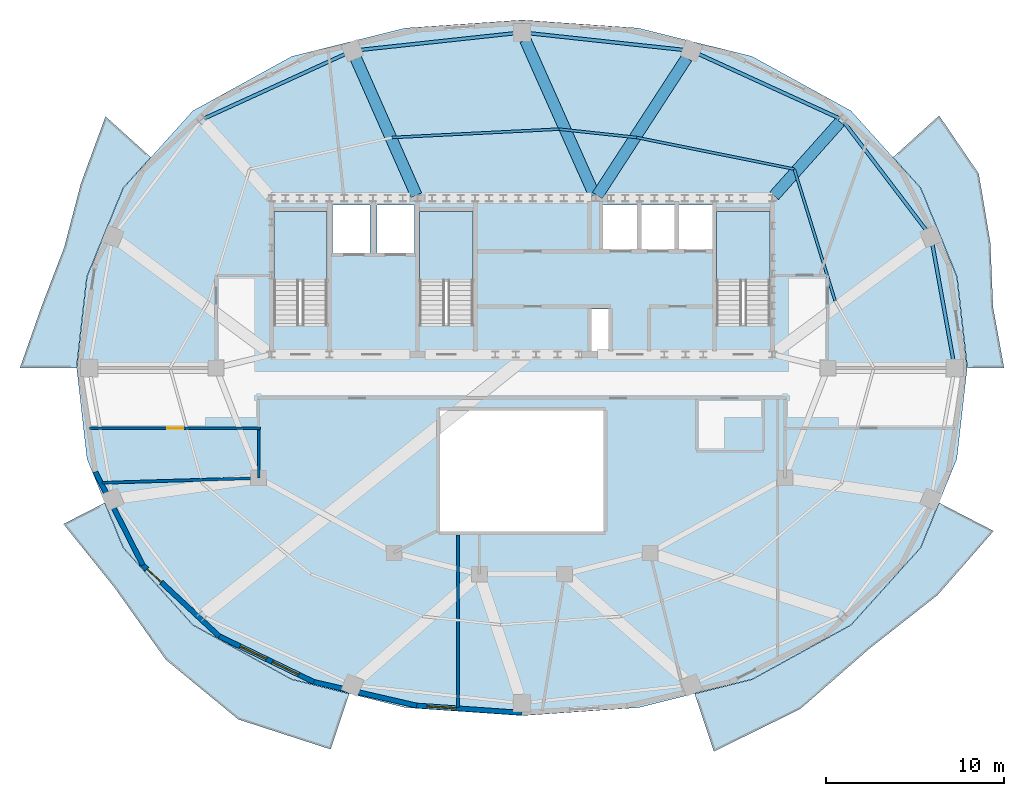
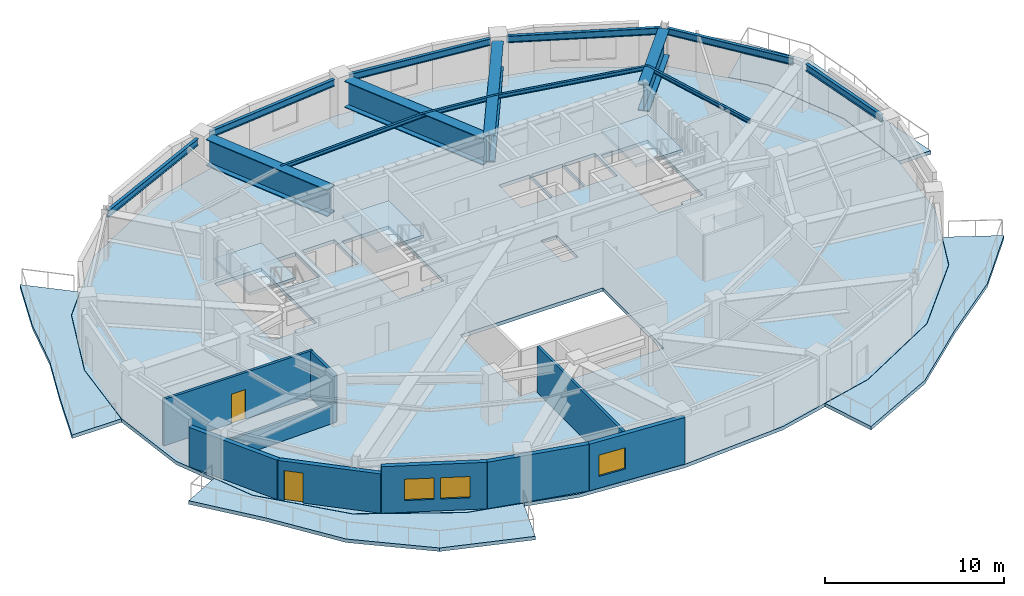
# One storey, part 3 of 10: 14 beams, 9 walls, 8 slabs, 3 windows, 2 doors, 5 openings, 3 elements without a shape of their own.
"""IFC4 building model written with IfcOpenShell, lengths in metres."""

from ifc_helpers import new_model, si_unit, direction, frame, frame_2d, origin, origin_2d, place, context, subcontext, project, spatial, polyline, rectangle, i_section, outline, extrude, material, layer, layer_set, material_profile, profile_set, type_object, element, fill, aggregate, save


model = new_model("IFC4")

# Units and contexts
model_context = context("Model", 3, precision=1e-05, world=origin(), true_north=direction((0.0, 1.0)))
body_context = subcontext(model_context, "Body", "Model", "MODEL_VIEW")
ifc_project = project(units=[si_unit("LENGTHUNIT", "METRE"), si_unit("AREAUNIT", "SQUARE_METRE"), si_unit("VOLUMEUNIT", "CUBIC_METRE"), si_unit("PLANEANGLEUNIT", "RADIAN"), si_unit("MASSUNIT", "GRAM", prefix="KILO")], contexts=[model_context])

# Site, building, storey
site_placement = place(None, origin())
site = spatial("IfcSite", under=ifc_project, at=site_placement, CompositionType="ELEMENT")
building_placement = place(site_placement, origin())
building = spatial("IfcBuilding", under=site, at=building_placement, Name="Haldorwick Loom Tower", CompositionType="ELEMENT")
storey_placement = place(building_placement, frame((0.0, 0.0, 269.550048828125)))
storey = spatial("IfcBuildingStorey", under=building, at=storey_placement, Name="L73", CompositionType="ELEMENT", Elevation=269.550048828125)

# Beams
ifc_material_1 = material(Name="Steel CSA G40.21 350W", Category="steel")
ifc_material_profile_1 = material_profile(ifc_material_1, i_section(OverallWidth=0.14599609375, OverallDepth=0.258056640625, WebThickness=0.006103515625, FlangeThickness=0.009033203125, at=origin_2d()), Name="W250X33", Category="steel")
ifc_profile_set_1 = profile_set([ifc_material_profile_1], Name="Steel CSA G40.21 350W")
beam_type_1 = type_object("IfcBeamType", Name="STR-BM-J250", PredefinedType="JOIST", material=ifc_profile_set_1)
beam_1_placement = place(storey_placement, frame((53.61328125, 29.76171875, 3.041015625), z_axis=(-0.296087580312, 0.955160795251, 0.0), x_axis=(-0.955160795251, -0.296087580312, 0.0)))
element("IfcBeam", 1, at=beam_1_placement, inside=storey, type_object=beam_type_1, Name="L73 Mid-Bay Secondary Joist 2", PredefinedType="JOIST", context=body_context, shape_type="SweptSolid", body=[
    extrude(i_section(OverallWidth=0.14599609375, OverallDepth=0.258056640625, WebThickness=0.006103515625, FlangeThickness=0.009033203125, at=origin_2d()), origin(), (0.0, 0.0, 1.0), 7.762451171875),
])
beam_2_placement = place(storey_placement, frame((51.31494140625, 37.176025390625, 3.041015625), z_axis=(-0.980500562343, 0.196516277302, 0.0), x_axis=(-0.196516277302, -0.980500562343, 0.0)))
element("IfcBeam", 2, at=beam_2_placement, inside=storey, type_object=beam_type_1, Name="L73 Mid-Bay Secondary Joist 3", PredefinedType="JOIST", context=body_context, shape_type="SweptSolid", body=[
    extrude(i_section(OverallWidth=0.14599609375, OverallDepth=0.258056640625, WebThickness=0.006103515625, FlangeThickness=0.009033203125, at=origin_2d()), origin(), (0.0, 0.0, 1.0), 9.034423828125),
])
beam_3_placement = place(storey_placement, frame((42.456787109375, 38.951416015625, 3.041015625), z_axis=(-0.994268003688, 0.106916494714, 0.0), x_axis=(-0.106916494714, -0.994268003688, 0.0)))
element("IfcBeam", 3, at=beam_3_placement, inside=storey, type_object=beam_type_1, Name="L73 Mid-Bay Secondary Joist 4", PredefinedType="JOIST", context=body_context, shape_type="SweptSolid", body=[
    extrude(i_section(OverallWidth=0.14599609375, OverallDepth=0.258056640625, WebThickness=0.006103515625, FlangeThickness=0.009033203125, at=origin_2d()), origin(), (0.0, 0.0, 1.0), 4.406982421875),
])
beam_4_placement = place(storey_placement, frame((38.074951171875, 39.422607421875, 3.041015625), z_axis=(-0.998743777835, -0.050108544536, 0.0), x_axis=(0.050108544536, -0.998743777835, 0.0)))
element("IfcBeam", 4, at=beam_4_placement, inside=storey, type_object=beam_type_1, Name="L73 Mid-Bay Secondary Joist 5", PredefinedType="JOIST", context=body_context, shape_type="SweptSolid", body=[
    extrude(i_section(OverallWidth=0.14599609375, OverallDepth=0.258056640625, WebThickness=0.006103515625, FlangeThickness=0.009033203125, at=origin_2d()), origin(), (0.0, 0.0, 1.0), 9.4033203125),
])
ifc_material_profile_2 = material_profile(ifc_material_1, i_section(OverallWidth=0.193115234375, OverallDepth=0.466064453125, WebThickness=0.011474609375, FlangeThickness=0.01904296875, at=origin_2d()), Name="W460X97", Category="steel")
ifc_profile_set_2 = profile_set([ifc_material_profile_2], Name="Steel CSA G40.21 350W")
beam_type_2 = type_object("IfcBeamType", Name="STR-BM-SP460", PredefinedType="SPANDREL", material=ifc_profile_set_2)
beam_5_placement = place(storey_placement, frame((60.25244140625, 26.467529296875, 2.93701171875), z_axis=(-0.177515201984, 0.984118058499, 0.0), x_axis=(-0.984118058499, -0.177515201984, 0.0)))
element("IfcBeam", 5, at=beam_5_placement, inside=storey, type_object=beam_type_2, Name="L73 Perimeter Spandrel 1", PredefinedType="SPANDREL", context=body_context, shape_type="SweptSolid", body=[
    extrude(i_section(OverallWidth=0.193115234375, OverallDepth=0.466064453125, WebThickness=0.011474609375, FlangeThickness=0.01904296875, at=origin_2d()), origin(), (0.0, 0.0, 1.0), 6.5546875),
])
beam_6_placement = place(storey_placement, frame((58.717041015625, 33.763916015625, 2.93701171875), z_axis=(-0.605410439126, 0.795913437629, 0.0), x_axis=(-0.795913437629, -0.605410439126, 0.0)))
element("IfcBeam", 6, at=beam_6_placement, inside=storey, type_object=beam_type_2, Name="L73 Perimeter Spandrel 2", PredefinedType="SPANDREL", context=body_context, shape_type="SweptSolid", body=[
    extrude(i_section(OverallWidth=0.193115234375, OverallDepth=0.466064453125, WebThickness=0.011474609375, FlangeThickness=0.01904296875, at=origin_2d()), origin(), (0.0, 0.0, 1.0), 7.604736328125),
])
beam_7_placement = place(storey_placement, frame((53.84326171875, 40.0322265625, 2.93701171875), z_axis=(-0.909567887863, 0.415555360172, 0.0), x_axis=(-0.415555360172, -0.909567887863, 0.0)))
element("IfcBeam", 7, at=beam_7_placement, inside=storey, type_object=beam_type_2, Name="L73 Perimeter Spandrel 3", PredefinedType="SPANDREL", context=body_context, shape_type="SweptSolid", body=[
    extrude(i_section(OverallWidth=0.193115234375, OverallDepth=0.466064453125, WebThickness=0.011474609375, FlangeThickness=0.01904296875, at=origin_2d()), origin(), (0.0, 0.0, 1.0), 8.666259765625),
])
for number, where, z_axis, x_axis, name in (
    (8, (45.056396484375, 43.8818359375, 2.93701171875), (-0.994216353781, 0.107395725588, 0.0), (-0.107395725588, -0.994216353781, 0.0), "L73 Perimeter Spandrel 4"),
    (9, (35.527587890625, 44.80908203125, 2.93701171875), (-0.994216353781, -0.107395725588, 0.0), (0.107395725588, -0.994216353781, 0.0), "L73 Perimeter Spandrel 5"),
):
    element("IfcBeam", number, at=place(storey_placement, frame(where, z_axis=z_axis, x_axis=x_axis)), inside=storey, type_object=beam_type_2, Name=name, PredefinedType="SPANDREL", context=body_context, shape_type="SweptSolid", body=[
        extrude(i_section(OverallWidth=0.193115234375, OverallDepth=0.466064453125, WebThickness=0.011474609375, FlangeThickness=0.01904296875, at=origin_2d()), origin(), (0.0, 0.0, 1.0), 8.634033203125),
    ])
beam_8_placement = place(storey_placement, frame((26.039306640625, 43.633544921875, 2.93701171875), z_axis=(-0.909567887863, -0.415555360172, 0.0), x_axis=(0.415555360172, -0.909567887863, 0.0)))
element("IfcBeam", 10, at=beam_8_placement, inside=storey, type_object=beam_type_2, Name="L73 Perimeter Spandrel 6", PredefinedType="SPANDREL", context=body_context, shape_type="SweptSolid", body=[
    extrude(i_section(OverallWidth=0.193115234375, OverallDepth=0.466064453125, WebThickness=0.011474609375, FlangeThickness=0.01904296875, at=origin_2d()), origin(), (0.0, 0.0, 1.0), 8.666259765625),
])
ifc_material_2 = material(Name="Steel CSA G40.21 350WT", Category="steel")
ifc_material_profile_3 = material_profile(ifc_material_2, i_section(OverallWidth=0.64990234375, OverallDepth=1.800048828125, WebThickness=0.02587890625, FlangeThickness=0.048095703125, at=origin_2d()), Name="WWF1800X650", Category="steel")
ifc_profile_set_3 = profile_set([ifc_material_profile_3], Name="Steel CSA G40.21 350WT")
beam_type_3 = type_object("IfcBeamType", Name="STR-BM-TG1800", PredefinedType="BEAM", material=ifc_profile_set_3)
beam_9_placement = place(storey_placement, frame((50.18408203125, 35.677978515625, 2.27001953125), z_axis=(0.665970391236, 0.745978175282, 0.0), x_axis=(-0.745978175282, 0.665970391236, 0.0)))
element("IfcBeam", 11, at=beam_9_placement, inside=storey, type_object=beam_type_3, Name="L73 Setback Inner Transfer Girder 3", PredefinedType="BEAM", context=body_context, shape_type="SweptSolid", body=[
    extrude(i_section(OverallWidth=0.64990234375, OverallDepth=1.800048828125, WebThickness=0.02587890625, FlangeThickness=0.048095703125, at=origin_2d()), origin(), (0.0, 0.0, 1.0), 5.559814453125),
])
beam_10_placement = place(storey_placement, frame((40.243408203125, 35.69384765625, 2.27001953125), z_axis=(0.544714921264, 0.838621281958, 0.0), x_axis=(-0.838621281958, 0.544714921264, 0.0)))
element("IfcBeam", 12, at=beam_10_placement, inside=storey, type_object=beam_type_3, Name="L73 Setback Inner Transfer Girder 4", PredefinedType="BEAM", context=body_context, shape_type="SweptSolid", body=[
    extrude(i_section(OverallWidth=0.64990234375, OverallDepth=1.800048828125, WebThickness=0.02587890625, FlangeThickness=0.048095703125, at=origin_2d()), origin(), (0.0, 0.0, 1.0), 9.22802734375),
])
beam_11_placement = place(storey_placement, frame((40.080078125, 35.70654296875, 2.27001953125), z_axis=(-0.407125301808, 0.913372316543, 0.0), x_axis=(-0.913372316543, -0.407125301808, 0.0)))
element("IfcBeam", 13, at=beam_11_placement, inside=storey, type_object=beam_type_3, Name="L73 Setback Inner Transfer Girder 5", PredefinedType="BEAM", context=body_context, shape_type="SweptSolid", body=[
    extrude(i_section(OverallWidth=0.64990234375, OverallDepth=1.800048828125, WebThickness=0.02587890625, FlangeThickness=0.048095703125, at=origin_2d()), origin(), (0.0, 0.0, 1.0), 9.546630859375),
])
beam_12_placement = place(storey_placement, frame((30.060791015625, 35.706787109375, 2.27001953125), z_axis=(-0.404157067806, 0.914689600106, 0.0), x_axis=(-0.914689600106, -0.404157067806, 0.0)))
element("IfcBeam", 14, at=beam_12_placement, inside=storey, type_object=beam_type_3, Name="L73 Setback Inner Transfer Girder 6", PredefinedType="BEAM", context=body_context, shape_type="SweptSolid", body=[
    extrude(i_section(OverallWidth=0.64990234375, OverallDepth=1.800048828125, WebThickness=0.02587890625, FlangeThickness=0.048095703125, at=origin_2d()), origin(), (0.0, 0.0, 1.0), 8.406982421875),
])

# Slabs
ifc_material_3 = material(Name="Concrete C40 (40 MPa)", Category="concrete")
ifc_layer_1 = layer(ifc_material_3, 0.239990234375, Name="Concrete C40 (40 MPa)", Category="concrete")
ifc_layer_set_1 = layer_set([ifc_layer_1], Name="Concrete C40 (40 MPa)")
slab_type_1 = type_object("IfcSlabType", Name="STR-SLB-BAL240", PredefinedType="FLOOR", material=ifc_layer_set_1)
slab_1_placement = place(storey_placement, frame((0.0, 0.0, -0.239990234375)))
element("IfcSlab", 15, at=slab_1_placement, inside=storey, type_object=slab_type_1, Name="L73 Sinusoidal Balcony Terrace BAL_SE", PredefinedType="FLOOR", context=body_context, shape_type="SweptSolid", body=[
    extrude(outline(polyline([(59.45947265625, 18.40576171875), (58.427978515625, 15.88427734375), (58.427490234375, 15.883056640625), (58.4267578125, 15.882080078125), (58.426025390625, 15.881103515625), (58.42529296875, 15.8798828125), (54.51123046875, 11.53662109375), (54.51025390625, 11.535400390625), (54.5087890625, 11.534423828125), (54.50732421875, 11.53369140625), (48.947998046875, 8.475830078125), (48.947021484375, 8.475341796875), (48.94580078125, 8.474853515625), (48.9443359375, 8.474365234375), (45.716796875, 7.66845703125), (46.79736328125, 4.430419921875), (51.6435546875, 6.8134765625), (55.541748046875, 10.213623046875), (59.365478515625, 13.219970703125), (62.522705078125, 16.823974609375), (59.45947265625, 18.40576171875)])), origin(), (0.0, 0.0, 1.0), 0.239990234375),
])
slab_2_placement = place(storey_placement, frame((0.0, 0.0, -0.239990234375)))
element("IfcSlab", 16, at=slab_2_placement, inside=storey, type_object=slab_type_1, Name="L73 Sinusoidal Balcony Terrace BAL_SW", PredefinedType="FLOOR", context=body_context, shape_type="SweptSolid", body=[
    extrude(outline(polyline([(26.283203125, 7.66845703125), (23.0556640625, 8.474365234375), (23.05419921875, 8.474853515625), (23.052978515625, 8.475341796875), (23.052001953125, 8.475830078125), (17.49267578125, 11.53369140625), (17.4912109375, 11.534423828125), (17.48974609375, 11.535400390625), (17.48876953125, 11.53662109375), (13.57470703125, 15.8798828125), (13.573974609375, 15.881103515625), (13.5732421875, 15.882080078125), (13.572509765625, 15.883056640625), (13.572021484375, 15.88427734375), (12.540283203125, 18.406494140625), (10.220947265625, 17.21826171875), (13.10595703125, 13.623291015625), (15.97216796875, 9.59130859375), (20.05224609375, 6.230712890625), (25.24072265625, 4.5478515625), (26.283203125, 7.66845703125)])), origin(), (0.0, 0.0, 1.0), 0.239990234375),
])
slab_3_placement = place(storey_placement, frame((0.0, 0.0, -0.239990234375)))
element("IfcSlab", 17, at=slab_3_placement, inside=storey, type_object=slab_type_1, Name="L73 Sinusoidal Balcony Terrace BAL_WNW", PredefinedType="FLOOR", context=body_context, shape_type="SweptSolid", body=[
    extrude(outline(polyline([(10.9482421875, 26.0), (10.9482421875, 26.001708984375), (11.529296875, 31.12109375), (11.529541015625, 31.12255859375), (11.530029296875, 31.123779296875), (11.530517578125, 31.125), (13.572021484375, 36.11572265625), (13.572509765625, 36.116943359375), (13.5732421875, 36.117919921875), (13.573974609375, 36.118896484375), (13.57470703125, 36.1201171875), (15.125, 37.84033203125), (12.585693359375, 40.13623046875), (11.193603515625, 36.342529296875), (10.267333984375, 32.783447265625), (9.01025390625, 29.510009765625), (7.77490234375, 26.0), (10.9482421875, 26.0)])), origin(), (0.0, 0.0, 1.0), 0.239990234375),
])
slab_4_placement = place(storey_placement, frame((0.0, 0.0, -0.239990234375)))
element("IfcSlab", 18, at=slab_4_placement, inside=storey, type_object=slab_type_1, Name="L73 Sinusoidal Balcony Terrace BAL_ENE", PredefinedType="FLOOR", context=body_context, shape_type="SweptSolid", body=[
    extrude(outline(polyline([(56.875, 37.84033203125), (58.42529296875, 36.1201171875), (58.426025390625, 36.118896484375), (58.4267578125, 36.117919921875), (58.427490234375, 36.116943359375), (58.427978515625, 36.11572265625), (60.469482421875, 31.125), (60.469970703125, 31.123779296875), (60.470458984375, 31.12255859375), (60.470703125, 31.12109375), (61.0517578125, 26.001708984375), (61.0517578125, 26.0), (63.1083984375, 26.0), (62.492919921875, 29.4091796875), (62.3388671875, 33.035400390625), (61.68701171875, 36.9169921875), (59.45947265625, 40.17822265625), (56.875, 37.84033203125)])), origin(), (0.0, 0.0, 1.0), 0.239990234375),
])

# Stair, slab
stair_type = type_object("IfcStairType", Name="STR-STR-CORE", PredefinedType="HALF_TURN_STAIR", material=ifc_material_3)
stair_1_placement = place(storey_placement, origin())
stair_1 = element("IfcStair", 19, at=stair_1_placement, inside=storey, type_object=stair_type, Name="L73 Exit Stair ST-01", PredefinedType="HALF_TURN_STAIR")
ifc_layer_2 = layer(ifc_material_3, 0.199951171875, Name="Concrete C40 (40 MPa)", Category="concrete")
ifc_layer_set_2 = layer_set([ifc_layer_2], Name="Concrete C40 (40 MPa)")
slab_type_2 = type_object("IfcSlabType", Name="STR-SLB-LAND200", PredefinedType="LANDING", material=ifc_layer_set_2)
slab_5_placement = place(storey_placement, frame((0.0, 0.0, 1.52490234375)))
slab_5 = element("IfcSlab", 20, at=slab_5_placement, type_object=slab_type_2, Name="ST-01 landing 1", PredefinedType="LANDING", context=body_context, shape_type="SweptSolid", body=[
    extrude(outline(polyline([(25.050048828125, 30.919921875), (25.050048828125, 34.800048828125), (22.050048828125, 34.800048828125), (22.050048828125, 30.919921875), (25.050048828125, 30.919921875)])), origin(), (0.0, 0.0, 1.0), 0.199951171875),
])
aggregate(stair_1, [slab_5])

stair_2_placement = place(storey_placement, origin())
stair_2 = element("IfcStair", 21, at=stair_2_placement, inside=storey, type_object=stair_type, Name="L73 Exit Stair ST-02", PredefinedType="HALF_TURN_STAIR")
slab_6_placement = place(storey_placement, frame((0.0, 0.0, 1.52490234375)))
slab_6 = element("IfcSlab", 22, at=slab_6_placement, type_object=slab_type_2, Name="ST-02 landing 1", PredefinedType="LANDING", context=body_context, shape_type="SweptSolid", body=[
    extrude(outline(polyline([(49.949951171875, 30.919921875), (49.949951171875, 34.800048828125), (46.949951171875, 34.800048828125), (46.949951171875, 30.919921875), (49.949951171875, 30.919921875)])), origin(), (0.0, 0.0, 1.0), 0.199951171875),
])
aggregate(stair_2, [slab_6])

stair_3_placement = place(storey_placement, origin())
stair_3 = element("IfcStair", 23, at=stair_3_placement, inside=storey, type_object=stair_type, Name="L73 Exit Stair ST-03", PredefinedType="HALF_TURN_STAIR")
slab_7_placement = place(storey_placement, frame((0.0, 0.0, 1.52490234375)))
slab_7 = element("IfcSlab", 24, at=slab_7_placement, type_object=slab_type_2, Name="ST-03 landing 1", PredefinedType="LANDING", context=body_context, shape_type="SweptSolid", body=[
    extrude(outline(polyline([(33.25, 30.919921875), (33.25, 34.800048828125), (30.25, 34.800048828125), (30.25, 30.919921875), (33.25, 30.919921875)])), origin(), (0.0, 0.0, 1.0), 0.199951171875),
])
aggregate(stair_3, [slab_7])

# Slab
ifc_layer_3 = layer(ifc_material_3, 0.239990234375, Name="Concrete C40 (40 MPa)", Category="concrete")
ifc_layer_set_3 = layer_set([ifc_layer_3], Name="Concrete C40 (40 MPa)")
slab_type_3 = type_object("IfcSlabType", Name="STR-SLB-RES240", PredefinedType="FLOOR", material=ifc_layer_set_3)
slab_8_placement = place(storey_placement, frame((0.0, 0.0, -0.239990234375)))
element("IfcSlab", 25, at=slab_8_placement, inside=storey, type_object=slab_type_3, Name="L73 Residential Structural Floor Slab", PredefinedType="FLOOR", context=body_context, shape_type="SweptSolid", body=[
    extrude(outline(polyline([(54.500244140625, 11.546630859375), (58.4140625, 15.889892578125), (60.455810546875, 20.880615234375), (61.036865234375, 26.0), (60.455810546875, 31.119384765625), (58.4140625, 36.110107421875), (54.500244140625, 40.453369140625), (48.94091796875, 43.510986328125), (42.552978515625, 45.10595703125), (36.0, 45.56005859375), (29.447021484375, 45.10595703125), (23.05908203125, 43.510986328125), (17.499755859375, 40.453369140625), (13.5859375, 36.110107421875), (11.544189453125, 31.119384765625), (10.963134765625, 26.0), (11.544189453125, 20.880615234375), (13.5859375, 15.889892578125), (17.499755859375, 11.546630859375), (23.05908203125, 8.489013671875), (29.447021484375, 6.89404296875), (36.0, 6.43994140625), (42.552978515625, 6.89404296875), (48.94091796875, 8.489013671875), (54.500244140625, 11.546630859375)]), holes=[polyline([(31.39990234375, 16.800048828125), (31.39990234375, 23.60009765625), (40.60009765625, 23.60009765625), (40.60009765625, 16.800048828125), (31.39990234375, 16.800048828125)]), polyline([(40.89990234375, 26.89990234375), (39.89990234375, 26.89990234375), (39.89990234375, 29.300048828125), (40.89990234375, 29.300048828125), (40.89990234375, 26.89990234375)]), polyline([(23.6201171875, 28.39990234375), (22.050048828125, 28.39990234375), (22.050048828125, 34.800048828125), (25.050048828125, 34.800048828125), (25.050048828125, 28.639892578125), (23.6201171875, 28.639892578125), (23.6201171875, 28.39990234375)]), polyline([(30.25, 28.39990234375), (30.25, 34.800048828125), (33.25, 34.800048828125), (33.25, 28.639892578125), (31.820068359375, 28.639892578125), (31.820068359375, 28.39990234375), (30.25, 28.39990234375)]), polyline([(46.949951171875, 28.39990234375), (46.949951171875, 34.800048828125), (49.949951171875, 34.800048828125), (49.949951171875, 28.639892578125), (48.52001953125, 28.639892578125), (48.52001953125, 28.39990234375), (46.949951171875, 28.39990234375)]), polyline([(27.449951171875, 32.449951171875), (25.35009765625, 32.449951171875), (25.35009765625, 35.14990234375), (27.449951171875, 35.14990234375), (27.449951171875, 32.449951171875)]), polyline([(29.949951171875, 32.449951171875), (27.85009765625, 32.449951171875), (27.85009765625, 35.14990234375), (29.949951171875, 35.14990234375), (29.949951171875, 32.449951171875)]), polyline([(42.550048828125, 32.64990234375), (40.550048828125, 32.64990234375), (40.550048828125, 35.14990234375), (42.550048828125, 35.14990234375), (42.550048828125, 32.64990234375)]), polyline([(42.64990234375, 32.64990234375), (42.64990234375, 35.14990234375), (44.64990234375, 35.14990234375), (44.64990234375, 32.64990234375), (42.64990234375, 32.64990234375)]), polyline([(44.75, 32.64990234375), (44.75, 35.14990234375), (46.75, 35.14990234375), (46.75, 32.64990234375), (44.75, 32.64990234375)])]), origin(), (0.0, 0.0, 1.0), 0.239990234375),
])

# Wall
ifc_material_4 = material(Name="Pressed Clay Face Brick and Insulated Masonry Backup Assembly", Category="masonry")
ifc_layer_4 = layer(ifc_material_4, 0.280029296875, Name="Pressed Clay Face Brick and Insulated Masonry Backup Assembly", Category="masonry")
ifc_layer_set_4 = layer_set([ifc_layer_4], Name="Pressed Clay Face Brick and Insulated Masonry Backup Assembly")
wall_type_1 = type_object("IfcWallType", Name="ARC-WL-EXT280", PredefinedType="STANDARD", material=ifc_layer_set_4)
wall_1_placement = place(storey_placement, frame((12.013671875, 20.151123046875, 0.0), z_axis=(0.0, 0.0, 1.0), x_axis=(0.453100705059, -0.89145933787, 0.0)))
element("IfcWall", 26, at=wall_1_placement, inside=storey, type_object=wall_type_1, Name="L73 Brick Pier and Spandrel Wall 14", PredefinedType="STANDARD", context=body_context, shape_type="SweptSolid", body=[
    extrude(rectangle(XDim=5.879150390625, YDim=0.280029296875, at=frame_2d((2.939453125, 0.0))), origin(), (0.0, 0.0, 1.0), 2.678955078125),
])

# Wall, opening, door
wall_2_placement = place(storey_placement, frame((14.677490234375, 14.91015625, 0.0), z_axis=(0.0, 0.0, 1.0), x_axis=(0.731924682982, -0.68138554317, 0.0)))
wall_2 = element("IfcWall", 27, at=wall_2_placement, inside=storey, type_object=wall_type_1, Name="L73 Brick Pier and Spandrel Wall 15", PredefinedType="STANDARD", context=body_context, shape_type="SweptSolid", body=[
    extrude(rectangle(XDim=5.87890625, YDim=0.280029296875, at=frame_2d((2.939453125, 0.0))), origin(), (0.0, 0.0, 1.0), 2.678955078125),
])
opening_1_placement = place(wall_2_placement, frame((0.340087890625, 0.0, 0.0)))
opening_1 = element("IfcOpeningElement", 28, at=opening_1_placement, cuts=wall_2, Name="Opening D-BL11", PredefinedType="OPENING", context=body_context, shape_type="SweptSolid", body=[
    extrude(rectangle(XDim=1.080078125, YDim=2.0400390625, at=frame_2d((0.5400390625, 1.02001953125))), frame((0.0, 0.14990234375, 0.0), z_axis=(0.0, -1.0, 0.0), x_axis=(1.0, 0.0, 0.0)), (0.0, 0.0, 1.0), 0.300048828125),
])
ifc_material_5 = material(Name="Thermally Broken Anodized Aluminium Curtain Wall Framing", Category="aluminium")
door_type_1 = type_object("IfcDoorType", Name="ARC-DR-BAL110", OperationType="NOTDEFINED", PredefinedType="DOOR", material=ifc_material_5)
door_1_placement = place(opening_1_placement, origin())
door_1 = element("IfcDoor", 29, at=door_1_placement, inside=storey, type_object=door_type_1, Name="L73 Outdoor Terrace Door SLB-L73-BAL_SW", OperationType="SINGLE_SWING_LEFT", OverallHeight=2.0400390625, OverallWidth=1.080078125, PredefinedType="DOOR", context=body_context, shape_type="SweptSolid", body=[
    extrude(rectangle(XDim=1.080078125, YDim=2.0400390625, at=frame_2d((0.5400390625, 1.02001953125))), frame((0.0, 0.02490234375, 0.0), z_axis=(0.0, -1.0, 0.0), x_axis=(1.0, 0.0, 0.0)), (0.0, 0.0, 1.0), 0.050048828125),
])
fill(opening_1, door_1)

# Wall, openings, windows
wall_3_placement = place(storey_placement, frame((18.98046875, 10.904296875, 0.0), z_axis=(0.0, 0.0, 1.0), x_axis=(0.900481907967, -0.434893473651, 0.0)))
wall_3 = element("IfcWall", 30, at=wall_3_placement, inside=storey, type_object=wall_type_1, Name="L73 Brick Pier and Spandrel Wall 16", PredefinedType="STANDARD", context=body_context, shape_type="SweptSolid", body=[
    extrude(rectangle(XDim=5.90966796875, YDim=0.280029296875, at=frame_2d((2.954833984375, 0.0))), origin(), (0.0, 0.0, 1.0), 3.169921875),
])
opening_2_placement = place(wall_3_placement, frame((1.29443359375, 0.0, 0.800048828125)))
opening_2 = element("IfcOpeningElement", 31, at=opening_2_placement, cuts=wall_3, Name="Opening W-01B", PredefinedType="OPENING", context=body_context, shape_type="SweptSolid", body=[
    extrude(rectangle(XDim=1.64990234375, YDim=1.449951171875, at=frame_2d((0.824951171875, 0.72509765625))), frame((0.0, 0.14990234375, 0.0), z_axis=(0.0, -1.0, 0.0), x_axis=(1.0, 0.0, 0.0)), (0.0, 0.0, 1.0), 0.300048828125),
])
opening_3_placement = place(wall_3_placement, frame((3.311767578125, 0.0, 0.800048828125)))
opening_3 = element("IfcOpeningElement", 32, at=opening_3_placement, cuts=wall_3, Name="Opening W-01B", PredefinedType="OPENING", context=body_context, shape_type="SweptSolid", body=[
    extrude(rectangle(XDim=1.64990234375, YDim=1.449951171875, at=frame_2d((0.824951171875, 0.72509765625))), frame((0.0, 0.14990234375, 0.0), z_axis=(0.0, -1.0, 0.0), x_axis=(1.0, 0.0, 0.0)), (0.0, 0.0, 1.0), 0.300048828125),
])
ifc_material_6 = material(Name="Triple-Glazed Low-E Argon Insulated Glazing Unit", Category="glass")
window_type = type_object("IfcWindowType", Name="ARC-WIN-W165", PartitioningType="SINGLE_PANEL", PredefinedType="WINDOW", material=ifc_material_6)
window_1_placement = place(opening_2_placement, origin())
window_1 = element("IfcWindow", 33, at=window_1_placement, inside=storey, type_object=window_type, Name="L73 Deep-Set Zone 7A Window 16", OverallHeight=1.449951171875, OverallWidth=1.64990234375, PartitioningType="SINGLE_PANEL", PredefinedType="WINDOW", context=body_context, shape_type="SweptSolid", body=[
    extrude(rectangle(XDim=1.64990234375, YDim=1.449951171875, at=frame_2d((0.824951171875, 0.72509765625))), frame((0.0, 0.030029296875, 0.0), z_axis=(0.0, -1.0, 0.0), x_axis=(1.0, 0.0, 0.0)), (0.0, 0.0, 1.0), 0.06005859375),
])
fill(opening_2, window_1)
window_2_placement = place(opening_3_placement, origin())
window_2 = element("IfcWindow", 34, at=window_2_placement, inside=storey, type_object=window_type, Name="L73 Deep-Set Zone 7A Window 16", OverallHeight=1.449951171875, OverallWidth=1.64990234375, PartitioningType="SINGLE_PANEL", PredefinedType="WINDOW", context=body_context, shape_type="SweptSolid", body=[
    extrude(rectangle(XDim=1.64990234375, YDim=1.449951171875, at=frame_2d((0.824951171875, 0.72509765625))), frame((0.0, 0.030029296875, 0.0), z_axis=(0.0, -1.0, 0.0), x_axis=(1.0, 0.0, 0.0)), (0.0, 0.0, 1.0), 0.06005859375),
])
fill(opening_3, window_2)

# Wall
wall_4_placement = place(storey_placement, frame((24.302001953125, 8.334228515625, 0.0), z_axis=(0.0, 0.0, 1.0), x_axis=(0.974589984037, -0.223996345987, 0.0)))
element("IfcWall", 35, at=wall_4_placement, inside=storey, type_object=wall_type_1, Name="L73 Brick Pier and Spandrel Wall 17", PredefinedType="STANDARD", context=body_context, shape_type="SweptSolid", body=[
    extrude(rectangle(XDim=5.92919921875, YDim=0.280029296875, at=frame_2d((2.964599609375, 0.0))), origin(), (0.0, 0.0, 1.0), 3.169921875),
])

# Wall, opening, window
wall_5_placement = place(storey_placement, frame((30.08056640625, 7.006103515625, 0.0), z_axis=(0.0, 0.0, 1.0), x_axis=(0.997656066566, -0.068427865986, 0.0)))
wall_5 = element("IfcWall", 36, at=wall_5_placement, inside=storey, type_object=wall_type_1, Name="L73 Brick Pier and Spandrel Wall 18", PredefinedType="STANDARD", context=body_context, shape_type="SweptSolid", body=[
    extrude(rectangle(XDim=5.933349609375, YDim=0.280029296875, at=frame_2d((2.966796875, 0.0))), origin(), (0.0, 0.0, 1.0), 3.169921875),
])
opening_4_placement = place(wall_5_placement, frame((0.580078125, 0.0, 0.800048828125)))
opening_4 = element("IfcOpeningElement", 37, at=opening_4_placement, cuts=wall_5, Name="Opening W-01B", PredefinedType="OPENING", context=body_context, shape_type="SweptSolid", body=[
    extrude(rectangle(XDim=1.64990234375, YDim=1.449951171875, at=frame_2d((0.824951171875, 0.72509765625))), frame((0.0, 0.14990234375, 0.0), z_axis=(0.0, -1.0, 0.0), x_axis=(1.0, 0.0, 0.0)), (0.0, 0.0, 1.0), 0.300048828125),
])
window_3_placement = place(opening_4_placement, origin())
window_3 = element("IfcWindow", 38, at=window_3_placement, inside=storey, type_object=window_type, Name="L73 Deep-Set Zone 7A Window 18", OverallHeight=1.449951171875, OverallWidth=1.64990234375, PartitioningType="SINGLE_PANEL", PredefinedType="WINDOW", context=body_context, shape_type="SweptSolid", body=[
    extrude(rectangle(XDim=1.64990234375, YDim=1.449951171875, at=frame_2d((0.824951171875, 0.72509765625))), frame((0.0, 0.030029296875, 0.0), z_axis=(0.0, -1.0, 0.0), x_axis=(1.0, 0.0, 0.0)), (0.0, 0.0, 1.0), 0.06005859375),
])
fill(opening_4, window_3)

# Wall, opening, door
ifc_material_7 = material(Name="Fire-Rated Type X Gypsum Stud Assembly EI 60")
ifc_layer_5 = layer(ifc_material_7, 0.159912109375, Name="Fire-Rated Type X Gypsum Stud Assembly EI 60")
ifc_layer_set_5 = layer_set([ifc_layer_5], Name="Fire-Rated Type X Gypsum Stud Assembly EI 60")
wall_type_2 = type_object("IfcWallType", Name="ARC-WL-FIRE160", PredefinedType="PARTITIONING", material=ifc_layer_set_5)
wall_6_placement = place(storey_placement, frame((11.686279296875, 22.60009765625, 0.0), z_axis=(0.0, 0.0, 1.0), x_axis=(1.0, 0.0, 0.0)))
wall_6 = element("IfcWall", 39, at=wall_6_placement, inside=storey, type_object=wall_type_2, Name="L73 Residential Fire Partition L73-CR-SPW", PredefinedType="PARTITIONING", context=body_context, shape_type="SweptSolid", body=[
    extrude(rectangle(XDim=9.61376953125, YDim=0.159912109375, at=frame_2d((4.806884765625, 0.0))), origin(), (0.0, 0.0, 1.0), 3.155029296875),
])
opening_5_placement = place(wall_6_placement, frame((4.356689453125, 0.0, 0.0)))
opening_5 = element("IfcOpeningElement", 40, at=opening_5_placement, cuts=wall_6, Name="Opening D-FD60A", PredefinedType="OPENING", context=body_context, shape_type="SweptSolid", body=[
    extrude(rectangle(XDim=0.89990234375, YDim=2.0, at=frame_2d((0.449951171875, 1.0))), frame((0.0, 0.08984375, 0.0), z_axis=(0.0, -1.0, 0.0), x_axis=(1.0, 0.0, 0.0)), (0.0, 0.0, 1.0), 0.179931640625),
])
ifc_material_8 = material(Name="Hollow Steel Fire Door Assembly", Category="steel")
door_type_2 = type_object("IfcDoorType", Name="ARC-DR-FD60-90", OperationType="NOTDEFINED", PredefinedType="DOOR", material=ifc_material_8)
door_2_placement = place(opening_5_placement, origin())
door_2 = element("IfcDoor", 41, at=door_2_placement, inside=storey, type_object=door_type_2, Name="L73 L73 Central Residential Corridor to Shared Tea Pantry 1 Door", OperationType="SINGLE_SWING_LEFT", OverallHeight=2.0, OverallWidth=0.89990234375, PredefinedType="DOOR", context=body_context, shape_type="SweptSolid", body=[
    extrude(rectangle(XDim=0.89990234375, YDim=2.0, at=frame_2d((0.449951171875, 1.0))), frame((0.0, 0.02490234375, 0.0), z_axis=(0.0, -1.0, 0.0), x_axis=(1.0, 0.0, 0.0)), (0.0, 0.0, 1.0), 0.050048828125),
])
fill(opening_5, door_2)

# Walls
wall_7_placement = place(storey_placement, frame((21.199951171875, 19.800048828125, 0.0), z_axis=(0.0, 0.0, 1.0), x_axis=(-0.999544522853, -0.030178582384, 0.0)))
element("IfcWall", 42, at=wall_7_placement, inside=storey, type_object=wall_type_2, Name="L73 Residential Fire Partition L73-ICR-09", PredefinedType="PARTITIONING", context=body_context, shape_type="SweptSolid", body=[
    extrude(rectangle(XDim=8.825927734375, YDim=0.159912109375, at=frame_2d((4.4130859375, 0.0))), origin(), (0.0, 0.0, 1.0), 1.344970703125),
])
wall_8_placement = place(storey_placement, frame((32.39990234375, 6.89208984375, 0.0), z_axis=(0.0, 0.0, 1.0), x_axis=(0.0, 1.0, 0.0)))
element("IfcWall", 43, at=wall_8_placement, inside=storey, type_object=wall_type_2, Name="L73 Residential Fire Partition L73-SBP-0", PredefinedType="PARTITIONING", context=body_context, shape_type="SweptSolid", body=[
    extrude(rectangle(XDim=9.704833984375, YDim=0.159912109375, at=frame_2d((4.8525390625, 0.0))), origin(), (0.0, 0.0, 1.0), 3.155029296875),
])
wall_9_placement = place(storey_placement, frame((21.199951171875, 22.51708984375, 0.0), z_axis=(0.0, 0.0, 1.0), x_axis=(0.0, -1.0, 0.0)))
element("IfcWall", 44, at=wall_9_placement, inside=storey, type_object=wall_type_2, Name="L73 Residential Fire Partition L73-ICA-08", PredefinedType="PARTITIONING", context=body_context, shape_type="SweptSolid", body=[
    extrude(rectangle(XDim=2.717041015625, YDim=0.159912109375, at=frame_2d((1.3583984375, 0.0))), origin(), (0.0, 0.0, 1.0), 3.155029296875),
])

save(model, "model.ifc")
